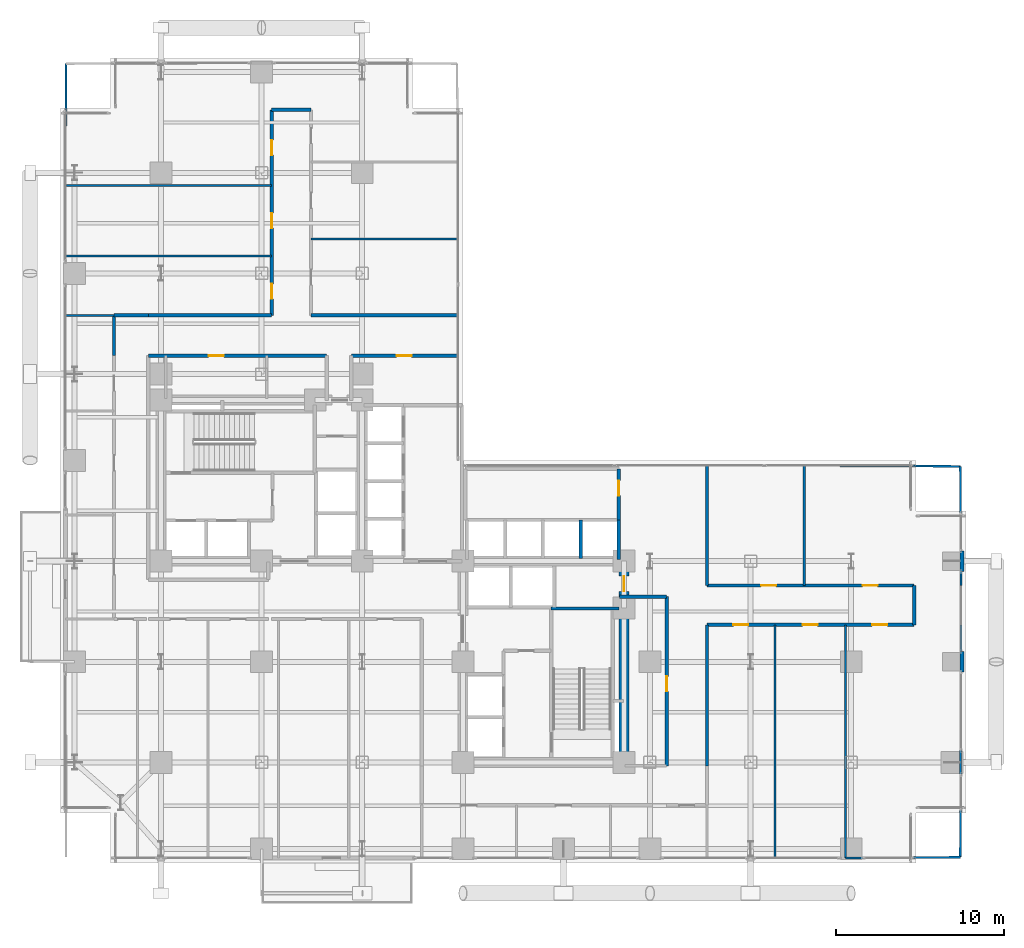
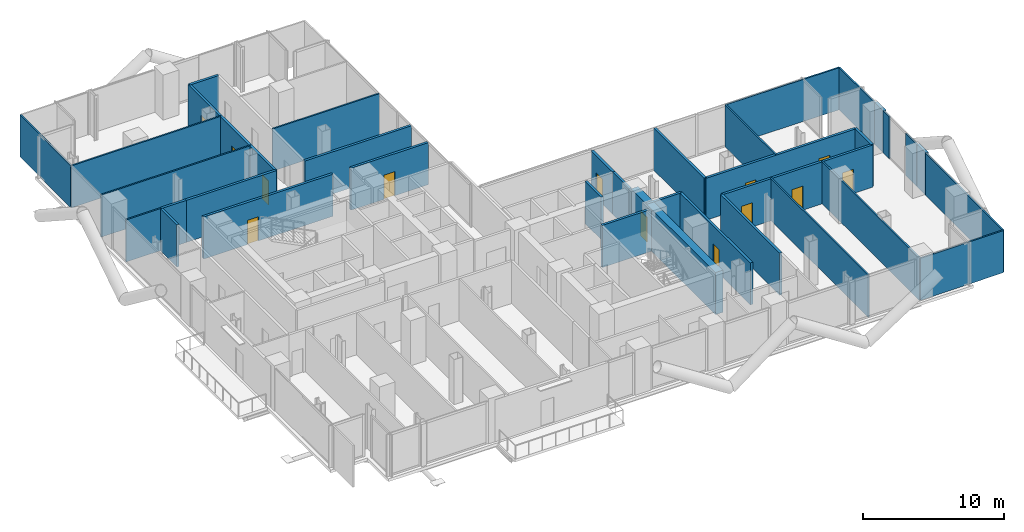
# One storey, part 22 of 25: 36 walls, 13 doors, 13 openings.
"""IFC4 building model written with IfcOpenShell, lengths in metres."""

import ifcopenshell
import ifcopenshell.guid

model = None  # the IFC model being written
_history = None  # IfcOwnerHistory: only IFC2X3 demands one
_inside = {}  # id of a spatial element -> (the spatial element, [elements in it])
_under = {}  # id of a project, library or spatial element -> (it, [spatial elements below it])
_declared = {}  # id of a project -> (the project, [libraries it declares])
_typed = {}  # id of a type object -> (the type object, [elements of that type])
_made_of = {}  # id of a material, layer set ... -> (it, [elements and type objects made of it])


def new_model(schema):
    """Start an empty IFC model of exactly this schema.

    Asked for "IFC4X3", IfcOpenShell would pick the latest addendum, in which some entities
    have other attributes; the version numbers below select the first issue.
    IFC2X3 requires an IfcOwnerHistory on every rooted entity: one is made here for all.
    """
    global model, _history
    if schema == "IFC4X3":
        model = ifcopenshell.file(schema_version=(4, 3, 0, 0))
    else:
        model = ifcopenshell.file(schema=schema)
    _inside.clear()
    _under.clear()
    _declared.clear()
    _typed.clear()
    _made_of.clear()
    _history = None
    if model.schema == "IFC2X3":
        org = make("IfcOrganization", Name="unknown")
        user = make(
            "IfcPersonAndOrganization",
            ThePerson=make("IfcPerson", FamilyName="unknown"),
            TheOrganization=org,
        )
        app = make(
            "IfcApplication",
            ApplicationDeveloper=org,
            Version="unknown",
            ApplicationFullName="unknown",
            ApplicationIdentifier="unknown",
        )
        _history = make(
            "IfcOwnerHistory",
            OwningUser=user,
            OwningApplication=app,
            ChangeAction="ADDED",
            CreationDate=0,
        )
    return model


def make(cls, **values):
    """One entity of the class cls with the attributes given. An attribute that is None is left unset."""
    return model.create_entity(
        cls, **{name: value for name, value in values.items() if value is not None}
    )


def rooted(cls, **values):
    """An entity with a GlobalId (a new one), such as an element, a storey or a relation."""
    return make(cls, GlobalId=ifcopenshell.guid.new(), OwnerHistory=_history, **values)


def si_unit(unit_type, name, prefix=None):
    """IfcSIUnit, for example si_unit("LENGTHUNIT", "METRE", prefix="MILLI")."""
    return make("IfcSIUnit", UnitType=unit_type, Prefix=prefix, Name=name)


def assignment(units):
    """IfcUnitAssignment: the units of a project."""
    return None if units is None else make("IfcUnitAssignment", Units=units)


def point(xyz):
    """IfcCartesianPoint."""
    return None if xyz is None else make("IfcCartesianPoint", Coordinates=xyz)


def direction(xyz):
    """IfcDirection."""
    return None if xyz is None else make("IfcDirection", DirectionRatios=xyz)


def frame(location, z_axis=None, x_axis=None):
    """IfcAxis2Placement3D, a coordinate frame: its origin and axes. An axis left out is left unset."""
    return make(
        "IfcAxis2Placement3D",
        Location=point(location),
        Axis=direction(z_axis),
        RefDirection=direction(x_axis),
    )


def frame_2d(location, x_axis=None):
    """IfcAxis2Placement2D, a coordinate frame in the plane: its origin and x axis."""
    return make(
        "IfcAxis2Placement2D", Location=point(location), RefDirection=direction(x_axis)
    )


def origin():
    """The frame at (0, 0, 0) with its axes left unset."""
    return frame((0.0, 0.0, 0.0))


def place(relative_to, where):
    """IfcLocalPlacement: puts the frame where relative to a parent placement (None: the world)."""
    return make(
        "IfcLocalPlacement", PlacementRelTo=relative_to, RelativePlacement=where
    )


def context(
    kind, dimensions, precision=None, world=None, true_north=None, identifier=None
):
    """IfcGeometricRepresentationContext, for example the 3D "Model" context."""
    return make(
        "IfcGeometricRepresentationContext",
        ContextIdentifier=identifier,
        ContextType=kind,
        CoordinateSpaceDimension=dimensions,
        Precision=precision,
        WorldCoordinateSystem=world,
        TrueNorth=true_north,
    )


def subcontext(parent, identifier, kind, view, scale=None):
    """IfcGeometricRepresentationSubContext, for example "Body" below "Model"."""
    return make(
        "IfcGeometricRepresentationSubContext",
        ContextIdentifier=identifier,
        ContextType=kind,
        ParentContext=parent,
        TargetScale=scale,
        TargetView=view,
    )


def project(units=None, contexts=None):
    """IfcProject with its units and contexts."""
    return rooted(
        "IfcProject",
        Name="project",
        RepresentationContexts=contexts,
        UnitsInContext=assignment(units),
    )


def spatial(cls, under=None, at=None, **own):
    """A site, building, storey or space (cls), placed at a placement, below another one or the project."""
    s = rooted(cls, ObjectPlacement=at, **own)
    if under is not None:
        _under.setdefault(under.id(), (under, []))[1].append(s)
    return s


def profile(cls, at=None, kind="AREA", **sizes):
    """A parametric profile (cls). Its sizes go by their IFC names, for example OverallWidth=200.0."""
    return make(cls, ProfileType=kind, Position=at, **sizes)


def rectangle(**sizes):
    """IfcRectangleProfileDef."""
    return profile("IfcRectangleProfileDef", **sizes)


def extrude(swept, where, along, depth):
    """IfcExtrudedAreaSolid: the profile swept, set in the frame where, extruded along a direction by depth."""
    return make(
        "IfcExtrudedAreaSolid",
        SweptArea=swept,
        Position=where,
        ExtrudedDirection=direction(along),
        Depth=depth,
    )


def shape(context_of_items, identifier, shape_type, items):
    """IfcShapeRepresentation: the items that make up one representation, for example the "Body"."""
    return make(
        "IfcShapeRepresentation",
        ContextOfItems=context_of_items,
        RepresentationIdentifier=identifier,
        RepresentationType=shape_type,
        Items=items,
    )


def material(Name=None, Category=None):
    """IfcMaterial."""
    return make("IfcMaterial", Name=Name, Category=Category)


def layer(
    of_material, thickness, ventilated=None, Name=None, Category=None, Priority=None
):
    """IfcMaterialLayer: one layer of a wall or slab, of a material (None: an air gap)."""
    return make(
        "IfcMaterialLayer",
        Material=of_material,
        LayerThickness=thickness,
        IsVentilated=ventilated,
        Name=Name,
        Category=Category,
        Priority=Priority,
    )


def layer_set(layers, Name=None):
    """IfcMaterialLayerSet."""
    return make("IfcMaterialLayerSet", MaterialLayers=layers, LayerSetName=Name)


def made_of(thing, what):
    """Note that an element or type object is made of a material, layer set ...; save() writes the relation."""
    if what is not None:
        _made_of.setdefault(what.id(), (what, []))[1].append(thing)
    return thing


def type_object(cls, material=None, **own):
    """A type object (cls), such as IfcWallType, which elements share."""
    return made_of(rooted(cls, **own), material)


def element(
    cls,
    number,
    at=None,
    inside=None,
    cuts=None,
    type_object=None,
    material=None,
    context=None,
    identifier="Body",
    shape_type=None,
    held_by="IfcProductDefinitionShape",
    body=None,
    shapes=None,
    **own,
):
    """One element of the class cls, such as IfcWall. Its Tag is "e" and its number.

    at: its placement. inside: the storey or other place that contains it. cuts: it is an
    opening in that element (IfcRelVoidsElement). A single representation is given by context,
    identifier, shape_type and body (its items); several are given by shapes. held_by: the class
    of the entity that holds the representations. save() writes the other relations.
    """
    e = rooted(cls, Tag="e%d" % number, ObjectPlacement=at, **own)
    if body is not None:
        shapes = [shape(context, identifier, shape_type, body)]
    if shapes is not None:
        e.Representation = make(held_by, Representations=shapes)
    if inside is not None:
        _inside.setdefault(inside.id(), (inside, []))[1].append(e)
    if cuts is not None:
        rooted(
            "IfcRelVoidsElement", RelatingBuildingElement=cuts, RelatedOpeningElement=e
        )
    if type_object is not None:
        _typed.setdefault(type_object.id(), (type_object, []))[1].append(e)
    return made_of(e, material)


def fill(opening, filler):
    """IfcRelFillsElement: the door or window that sits in an opening."""
    return rooted(
        "IfcRelFillsElement",
        RelatingOpeningElement=opening,
        RelatedBuildingElement=filler,
    )


def aggregate(whole, parts):
    """IfcRelAggregates: a whole, such as a stair, and the parts it consists of."""
    return rooted("IfcRelAggregates", RelatingObject=whole, RelatedObjects=parts)


def save(model, path):
    """Write the relations noted so far, then the file.

    IfcRelAggregates (storeys below a building ...), IfcRelContainedInSpatialStructure (elements
    in a storey), IfcRelDefinesByType, IfcRelAssociatesMaterial and IfcRelDeclares: one each for
    every whole, place, type object, material and project.
    """
    for whole, parts in _under.values():
        aggregate(whole, parts)
    for where, things in _inside.values():
        rooted(
            "IfcRelContainedInSpatialStructure",
            RelatedElements=things,
            RelatingStructure=where,
        )
    for kind, things in _typed.values():
        rooted("IfcRelDefinesByType", RelatedObjects=things, RelatingType=kind)
    for what, things in _made_of.values():
        rooted("IfcRelAssociatesMaterial", RelatedObjects=things, RelatingMaterial=what)
    for by, libraries in _declared.values():
        rooted("IfcRelDeclares", RelatingContext=by, RelatedDefinitions=libraries)
    model.write(path)


model = new_model("IFC4")

# Units and contexts
model_context = context("Model", 3, precision=1e-05, world=origin(), true_north=direction((0.0, 1.0)))
body_context = subcontext(model_context, "Body", "Model", "MODEL_VIEW")
ifc_project = project(units=[si_unit("LENGTHUNIT", "METRE"), si_unit("AREAUNIT", "SQUARE_METRE"), si_unit("VOLUMEUNIT", "CUBIC_METRE"), si_unit("PLANEANGLEUNIT", "RADIAN"), si_unit("MASSUNIT", "GRAM", prefix="KILO"), si_unit("THERMODYNAMICTEMPERATUREUNIT", "KELVIN"), si_unit("POWERUNIT", "WATT")], contexts=[model_context])

# Site, building, storey
site_placement = place(None, origin())
site = spatial("IfcSite", under=ifc_project, at=site_placement, CompositionType="ELEMENT")
building_placement = place(site_placement, origin())
building = spatial("IfcBuilding", under=site, at=building_placement, Name="Svarakhadi Broadcast Tower", CompositionType="ELEMENT")
storey_placement = place(building_placement, frame((0.0, 0.0, 48.0)))
storey = spatial("IfcBuildingStorey", under=building, at=storey_placement, Name="L10", CompositionType="ELEMENT", Elevation=48.0)

# Wall, opening, door
ifc_material_1 = material(Name="Double-Stud Acoustic Studio Partition STC-62", Category="gypsum")
ifc_layer_1 = layer(ifc_material_1, 0.199951171875)
ifc_layer_set_1 = layer_set([ifc_layer_1], Name="Double-Stud Acoustic Studio Partition STC-62")
wall_type_1 = type_object("IfcWallType", Name="Wall_Acoust_200", PredefinedType="PARTITIONING", material=ifc_layer_set_1)
wall_1_placement = place(storey_placement, frame((36.14990234375, 5.800048828125, 0.0), z_axis=(0.0, 0.0, 1.0), x_axis=(0.0, 1.0, 0.0)))
wall_1 = element("IfcWall", 1, at=wall_1_placement, inside=storey, type_object=wall_type_1, Name="L10 Broadcast Corridor Wall", PredefinedType="PARTITIONING", context=body_context, shape_type="SweptSolid", body=[
    extrude(rectangle(XDim=10.079833984375, YDim=0.199951171875, at=frame_2d((5.0400390625, 0.0))), origin(), (0.0, 0.0, 1.0), 3.64990234375),
])
opening_1_placement = place(wall_1_placement, frame((4.429931640625, 0.0, 0.0)))
opening_1 = element("IfcOpeningElement", 2, at=opening_1_placement, cuts=wall_1, Name="Opening D-14", PredefinedType="OPENING", context=body_context, shape_type="SweptSolid", body=[
    extrude(rectangle(XDim=0.89990234375, YDim=2.10009765625, at=frame_2d((0.449951171875, 1.050048828125))), frame((0.0, 0.10986328125, 0.0), z_axis=(0.0, -1.0, 0.0), x_axis=(1.0, 0.0, 0.0)), (0.0, 0.0, 1.0), 0.219970703125),
])
ifc_material_2 = material(Name="Solid-Core Teak Veneer Acoustic Timber Leaf", Category="wood")
door_type_1 = type_object("IfcDoorType", Name="Door_Int_D14", OperationType="SINGLE_SWING_LEFT", PredefinedType="DOOR", material=ifc_material_2)
door_1_placement = place(opening_1_placement, origin())
door_1 = element("IfcDoor", 3, at=door_1_placement, inside=storey, type_object=door_type_1, Name="L10 Live Feed Monitoring Studio Door", OperationType="SINGLE_SWING_LEFT", OverallHeight=2.10009765625, OverallWidth=0.89990234375, PredefinedType="DOOR", context=body_context, shape_type="SweptSolid", body=[
    extrude(rectangle(XDim=0.89990234375, YDim=2.10009765625, at=frame_2d((0.449951171875, 1.050048828125))), frame((0.0, 0.02490234375, 0.0), z_axis=(0.0, -1.0, 0.0), x_axis=(1.0, 0.0, 0.0)), (0.0, 0.0, 1.0), 0.050048828125),
])
fill(opening_1, door_1)

# Walls
wall_2_placement = place(storey_placement, frame((36.14990234375, 15.8798828125, 0.0), z_axis=(0.0, 0.0, 1.0), x_axis=(-1.0, 0.0, 0.0)))
element("IfcWall", 4, at=wall_2_placement, inside=storey, type_object=wall_type_1, Name="L10 Broadcast Corridor Wall", PredefinedType="PARTITIONING", context=body_context, shape_type="SweptSolid", body=[
    extrude(rectangle(XDim=2.809814453125, YDim=0.199951171875, at=frame_2d((1.40478515625, 0.0))), origin(), (0.0, 0.0, 1.0), 3.64990234375),
])
wall_3_placement = place(storey_placement, frame((38.550048828125, 23.699951171875, 0.0), z_axis=(0.0, 0.0, 1.0), x_axis=(0.0, -1.0, 0.0)))
element("IfcWall", 5, at=wall_3_placement, inside=storey, type_object=wall_type_1, Name="L10 Broadcast Corridor Wall", PredefinedType="PARTITIONING", context=body_context, shape_type="SweptSolid", body=[
    extrude(rectangle(XDim=7.14990234375, YDim=0.199951171875, at=frame_2d((3.574951171875, 0.0))), origin(), (0.0, 0.0, 1.0), 3.64990234375),
])

# Wall, openings, doors
wall_4_placement = place(storey_placement, frame((38.550048828125, 16.550048828125, 0.0), z_axis=(0.0, 0.0, 1.0), x_axis=(1.0, 0.0, 0.0)))
wall_4 = element("IfcWall", 6, at=wall_4_placement, inside=storey, type_object=wall_type_1, Name="L10 Broadcast Corridor Wall", PredefinedType="PARTITIONING", context=body_context, shape_type="SweptSolid", body=[
    extrude(rectangle(XDim=12.349853515625, YDim=0.199951171875, at=frame_2d((6.1748046875, 0.0))), origin(), (0.0, 0.0, 1.0), 3.64990234375),
])
opening_2_placement = place(wall_4_placement, frame((3.22998046875, 0.0, 0.0)))
opening_2 = element("IfcOpeningElement", 7, at=opening_2_placement, cuts=wall_4, Name="Opening D-15", PredefinedType="OPENING", context=body_context, shape_type="SweptSolid", body=[
    extrude(rectangle(XDim=0.89990234375, YDim=2.10009765625, at=frame_2d((0.449951171875, 1.050048828125))), frame((0.0, 0.10986328125, 0.0), z_axis=(0.0, -1.0, 0.0), x_axis=(1.0, 0.0, 0.0)), (0.0, 0.0, 1.0), 0.219970703125),
])
opening_3_placement = place(wall_4_placement, frame((9.280029296875, 0.0, 0.0)))
opening_3 = element("IfcOpeningElement", 8, at=opening_3_placement, cuts=wall_4, Name="Opening D-14", PredefinedType="OPENING", context=body_context, shape_type="SweptSolid", body=[
    extrude(rectangle(XDim=0.89990234375, YDim=2.10009765625, at=frame_2d((0.449951171875, 1.050048828125))), frame((0.0, 0.10986328125, 0.0), z_axis=(0.0, -1.0, 0.0), x_axis=(1.0, 0.0, 0.0)), (0.0, 0.0, 1.0), 0.219970703125),
])
door_2_placement = place(opening_3_placement, origin())
door_2 = element("IfcDoor", 9, at=door_2_placement, inside=storey, type_object=door_type_1, Name="L10 Broadcast Equipment Operations Room Door", OperationType="SINGLE_SWING_LEFT", OverallHeight=2.10009765625, OverallWidth=0.89990234375, PredefinedType="DOOR", context=body_context, shape_type="SweptSolid", body=[
    extrude(rectangle(XDim=0.89990234375, YDim=2.10009765625, at=frame_2d((0.449951171875, 1.050048828125))), frame((0.0, 0.02490234375, 0.0), z_axis=(0.0, -1.0, 0.0), x_axis=(1.0, 0.0, 0.0)), (0.0, 0.0, 1.0), 0.050048828125),
])
fill(opening_3, door_2)
door_type_2 = type_object("IfcDoorType", Name="Door_Int_D15", OperationType="SINGLE_SWING_RIGHT", PredefinedType="DOOR", material=ifc_material_2)
door_3_placement = place(opening_2_placement, origin())
door_3 = element("IfcDoor", 10, at=door_3_placement, inside=storey, type_object=door_type_2, Name="L10 Broadcast Acoustic Booth Door", OperationType="SINGLE_SWING_RIGHT", OverallHeight=2.10009765625, OverallWidth=0.89990234375, PredefinedType="DOOR", context=body_context, shape_type="SweptSolid", body=[
    extrude(rectangle(XDim=0.89990234375, YDim=2.10009765625, at=frame_2d((0.449951171875, 1.050048828125))), frame((0.0, 0.02490234375, 0.0), z_axis=(0.0, -1.0, 0.0), x_axis=(1.0, 0.0, 0.0)), (0.0, 0.0, 1.0), 0.050048828125),
])
fill(opening_2, door_3)

# Wall
wall_5_placement = place(storey_placement, frame((50.89990234375, 16.550048828125, 0.0), z_axis=(0.0, 0.0, 1.0), x_axis=(0.0, -1.0, 0.0)))
element("IfcWall", 11, at=wall_5_placement, inside=storey, type_object=wall_type_1, Name="L10 Broadcast Corridor Wall", PredefinedType="PARTITIONING", context=body_context, shape_type="SweptSolid", body=[
    extrude(rectangle(XDim=2.35009765625, YDim=0.199951171875, at=frame_2d((1.175048828125, 0.0))), origin(), (0.0, 0.0, 1.0), 3.64990234375),
])

# Wall, openings, doors
wall_6_placement = place(storey_placement, frame((50.89990234375, 14.199951171875, 0.0), z_axis=(0.0, 0.0, 1.0), x_axis=(-1.0, 0.0, 0.0)))
wall_6 = element("IfcWall", 12, at=wall_6_placement, inside=storey, type_object=wall_type_1, Name="L10 Broadcast Corridor Wall", PredefinedType="PARTITIONING", context=body_context, shape_type="SweptSolid", body=[
    extrude(rectangle(XDim=12.349853515625, YDim=0.199951171875, at=frame_2d((6.1748046875, 0.0))), origin(), (0.0, 0.0, 1.0), 3.64990234375),
])
opening_4_placement = place(wall_6_placement, frame((9.875, 0.0, 0.0)))
opening_4 = element("IfcOpeningElement", 13, at=opening_4_placement, cuts=wall_6, Name="Opening D-15", PredefinedType="OPENING", context=body_context, shape_type="SweptSolid", body=[
    extrude(rectangle(XDim=0.89990234375, YDim=2.10009765625, at=frame_2d((0.449951171875, 1.050048828125))), frame((0.0, 0.10986328125, 0.0), z_axis=(0.0, -1.0, 0.0), x_axis=(1.0, 0.0, 0.0)), (0.0, 0.0, 1.0), 0.219970703125),
])
opening_5_placement = place(wall_6_placement, frame((5.75, 0.0, 0.0)))
opening_5 = element("IfcOpeningElement", 14, at=opening_5_placement, cuts=wall_6, Name="Opening D-14", PredefinedType="OPENING", context=body_context, shape_type="SweptSolid", body=[
    extrude(rectangle(XDim=0.89990234375, YDim=2.10009765625, at=frame_2d((0.449951171875, 1.050048828125))), frame((0.0, 0.10986328125, 0.0), z_axis=(0.0, -1.0, 0.0), x_axis=(1.0, 0.0, 0.0)), (0.0, 0.0, 1.0), 0.219970703125),
])
opening_6_placement = place(wall_6_placement, frame((1.60009765625, 0.0, 0.0)))
opening_6 = element("IfcOpeningElement", 15, at=opening_6_placement, cuts=wall_6, Name="Opening D-15", PredefinedType="OPENING", context=body_context, shape_type="SweptSolid", body=[
    extrude(rectangle(XDim=0.89990234375, YDim=2.10009765625, at=frame_2d((0.449951171875, 1.050048828125))), frame((0.0, 0.10986328125, 0.0), z_axis=(0.0, -1.0, 0.0), x_axis=(1.0, 0.0, 0.0)), (0.0, 0.0, 1.0), 0.219970703125),
])
door_4_placement = place(opening_5_placement, origin())
door_4 = element("IfcDoor", 16, at=door_4_placement, inside=storey, type_object=door_type_1, Name="L10 Ingest Pod B Door", OperationType="SINGLE_SWING_LEFT", OverallHeight=2.10009765625, OverallWidth=0.89990234375, PredefinedType="DOOR", context=body_context, shape_type="SweptSolid", body=[
    extrude(rectangle(XDim=0.89990234375, YDim=2.10009765625, at=frame_2d((0.449951171875, 1.050048828125))), frame((0.0, 0.02490234375, 0.0), z_axis=(0.0, -1.0, 0.0), x_axis=(1.0, 0.0, 0.0)), (0.0, 0.0, 1.0), 0.050048828125),
])
fill(opening_5, door_4)
door_5_placement = place(opening_4_placement, origin())
door_5 = element("IfcDoor", 17, at=door_5_placement, inside=storey, type_object=door_type_2, Name="L10 Ingest Pod A Door", OperationType="SINGLE_SWING_RIGHT", OverallHeight=2.10009765625, OverallWidth=0.89990234375, PredefinedType="DOOR", context=body_context, shape_type="SweptSolid", body=[
    extrude(rectangle(XDim=0.89990234375, YDim=2.10009765625, at=frame_2d((0.449951171875, 1.050048828125))), frame((0.0, 0.02490234375, 0.0), z_axis=(0.0, -1.0, 0.0), x_axis=(1.0, 0.0, 0.0)), (0.0, 0.0, 1.0), 0.050048828125),
])
fill(opening_4, door_5)
door_6_placement = place(opening_6_placement, origin())
door_6 = element("IfcDoor", 18, at=door_6_placement, inside=storey, type_object=door_type_2, Name="L10 QC Review Pod Door", OperationType="SINGLE_SWING_RIGHT", OverallHeight=2.10009765625, OverallWidth=0.89990234375, PredefinedType="DOOR", context=body_context, shape_type="SweptSolid", body=[
    extrude(rectangle(XDim=0.89990234375, YDim=2.10009765625, at=frame_2d((0.449951171875, 1.050048828125))), frame((0.0, 0.02490234375, 0.0), z_axis=(0.0, -1.0, 0.0), x_axis=(1.0, 0.0, 0.0)), (0.0, 0.0, 1.0), 0.050048828125),
])
fill(opening_6, door_6)

# Walls
wall_7_placement = place(storey_placement, frame((38.550048828125, 14.199951171875, 0.0), z_axis=(0.0, 0.0, 1.0), x_axis=(0.0, -1.0, 0.0)))
element("IfcWall", 19, at=wall_7_placement, inside=storey, type_object=wall_type_1, Name="L10 Broadcast Corridor Wall", PredefinedType="PARTITIONING", context=body_context, shape_type="SweptSolid", body=[
    extrude(rectangle(XDim=8.39990234375, YDim=0.199951171875, at=frame_2d((4.199951171875, 0.0))), origin(), (0.0, 0.0, 1.0), 3.64990234375),
])
wall_8_placement = place(storey_placement, frame((3.199951171875, 30.25, 0.0), z_axis=(0.0, 0.0, 1.0), x_axis=(0.0, 1.0, 0.0)))
element("IfcWall", 20, at=wall_8_placement, inside=storey, type_object=wall_type_1, Name="L10 Broadcast Corridor Wall", PredefinedType="PARTITIONING", context=body_context, shape_type="SweptSolid", body=[
    extrude(rectangle(XDim=2.39990234375, YDim=0.199951171875, at=frame_2d((1.199951171875, 0.0))), origin(), (0.0, 0.0, 1.0), 3.64990234375),
])
wall_9_placement = place(storey_placement, frame((3.199951171875, 32.64990234375, 0.0), z_axis=(0.0, 0.0, 1.0), x_axis=(1.0, 0.0, 0.0)))
element("IfcWall", 21, at=wall_9_placement, inside=storey, type_object=wall_type_1, Name="L10 Broadcast Corridor Wall", PredefinedType="PARTITIONING", context=body_context, shape_type="SweptSolid", body=[
    extrude(rectangle(XDim=2.050048828125, YDim=0.199951171875, at=frame_2d((1.02490234375, 0.0))), origin(), (0.0, 0.0, 1.0), 3.64990234375),
])
wall_10_placement = place(storey_placement, frame((5.25, 32.64990234375, 0.0), z_axis=(0.0, 0.0, 1.0), x_axis=(1.0, 0.0, 0.0)))
element("IfcWall", 22, at=wall_10_placement, inside=storey, type_object=wall_type_1, Name="L10 Broadcast Corridor Wall", PredefinedType="PARTITIONING", context=body_context, shape_type="SweptSolid", body=[
    extrude(rectangle(XDim=7.35009765625, YDim=0.199951171875, at=frame_2d((3.675048828125, 0.0))), origin(), (0.0, 0.0, 1.0), 3.64990234375),
])

# Wall, openings, doors
wall_11_placement = place(storey_placement, frame((12.60009765625, 32.64990234375, 0.0), z_axis=(0.0, 0.0, 1.0), x_axis=(0.0, 1.0, 0.0)))
wall_11 = element("IfcWall", 23, at=wall_11_placement, inside=storey, type_object=wall_type_1, Name="L10 Broadcast Corridor Wall", PredefinedType="PARTITIONING", context=body_context, shape_type="SweptSolid", body=[
    extrude(rectangle(XDim=12.25, YDim=0.199951171875, at=frame_2d((6.125, 0.0))), origin(), (0.0, 0.0, 1.0), 3.64990234375),
])
opening_7_placement = place(wall_11_placement, frame((0.97998046875, 0.0, 0.0)))
opening_7 = element("IfcOpeningElement", 24, at=opening_7_placement, cuts=wall_11, Name="Opening D-14", PredefinedType="OPENING", context=body_context, shape_type="SweptSolid", body=[
    extrude(rectangle(XDim=0.89990234375, YDim=2.10009765625, at=frame_2d((0.449951171875, 1.050048828125))), frame((0.0, 0.10986328125, 0.0), z_axis=(0.0, -1.0, 0.0), x_axis=(1.0, 0.0, 0.0)), (0.0, 0.0, 1.0), 0.219970703125),
])
opening_8_placement = place(wall_11_placement, frame((5.199951171875, 0.0, 0.0)))
opening_8 = element("IfcOpeningElement", 25, at=opening_8_placement, cuts=wall_11, Name="Opening D-14", PredefinedType="OPENING", context=body_context, shape_type="SweptSolid", body=[
    extrude(rectangle(XDim=0.89990234375, YDim=2.10009765625, at=frame_2d((0.449951171875, 1.050048828125))), frame((0.0, 0.10986328125, 0.0), z_axis=(0.0, -1.0, 0.0), x_axis=(1.0, 0.0, 0.0)), (0.0, 0.0, 1.0), 0.219970703125),
])
opening_9_placement = place(wall_11_placement, frame((9.550048828125, 0.0, 0.0)))
opening_9 = element("IfcOpeningElement", 26, at=opening_9_placement, cuts=wall_11, Name="Opening D-15", PredefinedType="OPENING", context=body_context, shape_type="SweptSolid", body=[
    extrude(rectangle(XDim=0.89990234375, YDim=2.10009765625, at=frame_2d((0.449951171875, 1.050048828125))), frame((0.0, 0.10986328125, 0.0), z_axis=(0.0, -1.0, 0.0), x_axis=(1.0, 0.0, 0.0)), (0.0, 0.0, 1.0), 0.219970703125),
])
door_7_placement = place(opening_7_placement, origin())
door_7 = element("IfcDoor", 27, at=door_7_placement, inside=storey, type_object=door_type_1, Name="L10 Sound Foley Room Door", OperationType="SINGLE_SWING_LEFT", OverallHeight=2.10009765625, OverallWidth=0.89990234375, PredefinedType="DOOR", context=body_context, shape_type="SweptSolid", body=[
    extrude(rectangle(XDim=0.89990234375, YDim=2.10009765625, at=frame_2d((0.449951171875, 1.050048828125))), frame((0.0, 0.02490234375, 0.0), z_axis=(0.0, -1.0, 0.0), x_axis=(1.0, 0.0, 0.0)), (0.0, 0.0, 1.0), 0.050048828125),
])
fill(opening_7, door_7)
door_8_placement = place(opening_8_placement, origin())
door_8 = element("IfcDoor", 28, at=door_8_placement, inside=storey, type_object=door_type_1, Name="L10 ADR Vocal Room Door", OperationType="SINGLE_SWING_LEFT", OverallHeight=2.10009765625, OverallWidth=0.89990234375, PredefinedType="DOOR", context=body_context, shape_type="SweptSolid", body=[
    extrude(rectangle(XDim=0.89990234375, YDim=2.10009765625, at=frame_2d((0.449951171875, 1.050048828125))), frame((0.0, 0.02490234375, 0.0), z_axis=(0.0, -1.0, 0.0), x_axis=(1.0, 0.0, 0.0)), (0.0, 0.0, 1.0), 0.050048828125),
])
fill(opening_8, door_8)
door_9_placement = place(opening_9_placement, origin())
door_9 = element("IfcDoor", 29, at=door_9_placement, inside=storey, type_object=door_type_2, Name="L10 Mastering Studio Door", OperationType="SINGLE_SWING_RIGHT", OverallHeight=2.10009765625, OverallWidth=0.89990234375, PredefinedType="DOOR", context=body_context, shape_type="SweptSolid", body=[
    extrude(rectangle(XDim=0.89990234375, YDim=2.10009765625, at=frame_2d((0.449951171875, 1.050048828125))), frame((0.0, 0.02490234375, 0.0), z_axis=(0.0, -1.0, 0.0), x_axis=(1.0, 0.0, 0.0)), (0.0, 0.0, 1.0), 0.050048828125),
])
fill(opening_9, door_9)

# Walls
wall_12_placement = place(storey_placement, frame((12.60009765625, 44.89990234375, 0.0), z_axis=(0.0, 0.0, 1.0), x_axis=(1.0, 0.0, 0.0)))
element("IfcWall", 30, at=wall_12_placement, inside=storey, type_object=wall_type_1, Name="L10 Broadcast Corridor Wall", PredefinedType="PARTITIONING", context=body_context, shape_type="SweptSolid", body=[
    extrude(rectangle(XDim=2.349853515625, YDim=0.199951171875, at=frame_2d((1.1748046875, 0.0))), origin(), (0.0, 0.0, 1.0), 3.64990234375),
])
wall_13_placement = place(storey_placement, frame((14.949951171875, 32.64990234375, 0.0), z_axis=(0.0, 0.0, 1.0), x_axis=(1.0, 0.0, 0.0)))
element("IfcWall", 31, at=wall_13_placement, inside=storey, type_object=wall_type_1, Name="L10 Broadcast Corridor Wall", PredefinedType="PARTITIONING", context=body_context, shape_type="SweptSolid", body=[
    extrude(rectangle(XDim=8.75, YDim=0.199951171875, at=frame_2d((4.375, 0.0))), origin(), (0.0, 0.0, 1.0), 3.64990234375),
])

# Wall, opening, door
wall_14_placement = place(storey_placement, frame((23.699951171875, 30.25, 0.0), z_axis=(0.0, 0.0, 1.0), x_axis=(-1.0, 0.0, 0.0)))
wall_14 = element("IfcWall", 32, at=wall_14_placement, inside=storey, type_object=wall_type_1, Name="L10 Broadcast Corridor Wall", PredefinedType="PARTITIONING", context=body_context, shape_type="SweptSolid", body=[
    extrude(rectangle(XDim=6.349853515625, YDim=0.199951171875, at=frame_2d((3.1748046875, 0.0))), origin(), (0.0, 0.0, 1.0), 3.64990234375),
])
opening_10_placement = place(wall_14_placement, frame((2.75, 0.0, 0.0)))
opening_10 = element("IfcOpeningElement", 33, at=opening_10_placement, cuts=wall_14, Name="Opening D-15", PredefinedType="OPENING", context=body_context, shape_type="SweptSolid", body=[
    extrude(rectangle(XDim=0.89990234375, YDim=2.10009765625, at=frame_2d((0.449951171875, 1.050048828125))), frame((0.0, 0.10986328125, 0.0), z_axis=(0.0, -1.0, 0.0), x_axis=(1.0, 0.0, 0.0)), (0.0, 0.0, 1.0), 0.219970703125),
])
door_10_placement = place(opening_10_placement, origin())
door_10 = element("IfcDoor", 34, at=door_10_placement, inside=storey, type_object=door_type_2, Name="L10 Production Continuity Office Door", OperationType="SINGLE_SWING_RIGHT", OverallHeight=2.10009765625, OverallWidth=0.89990234375, PredefinedType="DOOR", context=body_context, shape_type="SweptSolid", body=[
    extrude(rectangle(XDim=0.89990234375, YDim=2.10009765625, at=frame_2d((0.449951171875, 1.050048828125))), frame((0.0, 0.02490234375, 0.0), z_axis=(0.0, -1.0, 0.0), x_axis=(1.0, 0.0, 0.0)), (0.0, 0.0, 1.0), 0.050048828125),
])
fill(opening_10, door_10)

wall_15_placement = place(storey_placement, frame((15.8798828125, 30.25, 0.0), z_axis=(0.0, 0.0, 1.0), x_axis=(-1.0, 0.0, 0.0)))
wall_15 = element("IfcWall", 35, at=wall_15_placement, inside=storey, type_object=wall_type_1, Name="L10 Broadcast Corridor Wall", PredefinedType="PARTITIONING", context=body_context, shape_type="SweptSolid", body=[
    extrude(rectangle(XDim=10.6298828125, YDim=0.199951171875, at=frame_2d((5.31494140625, 0.0))), origin(), (0.0, 0.0, 1.0), 3.64990234375),
])
opening_11_placement = place(wall_15_placement, frame((6.1298828125, 0.0, 0.0)))
opening_11 = element("IfcOpeningElement", 36, at=opening_11_placement, cuts=wall_15, Name="Opening D-12", PredefinedType="OPENING", context=body_context, shape_type="SweptSolid", body=[
    extrude(rectangle(XDim=0.89990234375, YDim=2.10009765625, at=frame_2d((0.449951171875, 1.050048828125))), frame((0.0, 0.10986328125, 0.0), z_axis=(0.0, -1.0, 0.0), x_axis=(1.0, 0.0, 0.0)), (0.0, 0.0, 1.0), 0.219970703125),
])
door_type_3 = type_object("IfcDoorType", Name="Door_WC_D01", OperationType="SINGLE_SWING_LEFT", PredefinedType="DOOR", material=ifc_material_2)
door_11_placement = place(opening_11_placement, origin())
door_11 = element("IfcDoor", 37, at=door_11_placement, inside=storey, type_object=door_type_3, Name="L10 Accessible Toilet WC Door", OperationType="SINGLE_SWING_LEFT", OverallHeight=2.10009765625, OverallWidth=0.89990234375, PredefinedType="DOOR", context=body_context, shape_type="SweptSolid", body=[
    extrude(rectangle(XDim=0.89990234375, YDim=2.10009765625, at=frame_2d((0.449951171875, 1.050048828125))), frame((0.0, 0.02490234375, 0.0), z_axis=(0.0, -1.0, 0.0), x_axis=(1.0, 0.0, 0.0)), (0.0, 0.0, 1.0), 0.050048828125),
])
fill(opening_11, door_11)

# Walls
ifc_material_3 = material(Name="Concrete C40/50 (IS 456 M50)", Category="concrete")
ifc_layer_2 = layer(ifc_material_3, 0.239990234375)
ifc_layer_set_2 = layer_set([ifc_layer_2], Name="Concrete C40/50 (IS 456 M50)")
wall_type_2 = type_object("IfcWallType", Name="Wall_Ext_240", PredefinedType="SOLIDWALL", material=ifc_layer_set_2)
for number, where, z_axis, x_axis, name in (
    (38, (53.760009765625, 18.614990234375, 0.0), (0.0, 0.0, 1.0), (0.0, -1.0, 0.0), "L10 Perimeter Bronze Spandrel Closure Wall 03"),
    (39, (53.760009765625, 12.614990234375, 0.0), (0.0, 0.0, 1.0), (0.0, -1.0, 0.0), "L10 Perimeter Bronze Spandrel Closure Wall 04"),
):
    element("IfcWall", number, at=place(storey_placement, frame(where, z_axis=z_axis, x_axis=x_axis)), inside=storey, type_object=wall_type_2, Name=name, PredefinedType="SOLIDWALL", context=body_context, shape_type="SweptSolid", body=[
        extrude(rectangle(XDim=1.22998046875, YDim=0.239990234375, at=frame_2d((0.614990234375, 0.0))), origin(), (0.0, 0.0, 1.0), 3.64990234375),
    ])
ifc_material_4 = material(Name="Fire-Rated Moisture-Resistant Gypsum Board Partition", Category="gypsum")
ifc_layer_3 = layer(ifc_material_4, 0.125)
ifc_layer_set_3 = layer_set([ifc_layer_3], Name="Fire-Rated Moisture-Resistant Gypsum Board Partition")
wall_type_3 = type_object("IfcWallType", Name="Wall_Part_125", PredefinedType="PARTITIONING", material=ifc_layer_set_3)
for number, where, z_axis, x_axis, name in (
    (40, (42.60009765625, 0.300048828125, 0.0), (0.0, 0.0, 1.0), (0.0, 1.0, 0.0), "L10 Ingest Pod A Wall"),
    (41, (46.800048828125, 0.300048828125, 0.0), (0.0, 0.0, 1.0), (0.0, 1.0, 0.0), "L10 Ingest Pod B Wall"),
):
    element("IfcWall", number, at=place(storey_placement, frame(where, z_axis=z_axis, x_axis=x_axis)), inside=storey, type_object=wall_type_3, Name=name, PredefinedType="PARTITIONING", context=body_context, shape_type="SweptSolid", body=[
        extrude(rectangle(XDim=13.89990234375, YDim=0.125, at=frame_2d((6.949951171875, 0.0))), origin(), (0.0, 0.0, 1.0), 3.64990234375),
    ])
wall_16_placement = place(storey_placement, frame((46.800048828125, 0.300048828125, 0.0), z_axis=(0.0, 0.0, 1.0), x_axis=(0.999973308199, 0.007306359489, 0.0)))
element("IfcWall", 42, at=wall_16_placement, inside=storey, type_object=wall_type_3, Name="L10 QC Review Pod Wall", PredefinedType="PARTITIONING", context=body_context, shape_type="SweptSolid", body=[
    extrude(rectangle(XDim=6.85009765625, YDim=0.125, at=frame_2d((3.425048828125, 0.0))), origin(), (0.0, 0.0, 1.0), 3.64990234375),
])
wall_17_placement = place(storey_placement, frame((53.64990234375, 0.35009765625, 0.0), z_axis=(0.0, 0.0, 1.0), x_axis=(0.003606251025, 0.999993497456, 0.0)))
element("IfcWall", 43, at=wall_17_placement, inside=storey, type_object=wall_type_3, Name="L10 QC Review Pod Wall", PredefinedType="PARTITIONING", context=body_context, shape_type="SweptSolid", body=[
    extrude(rectangle(XDim=11.034912109375, YDim=0.125, at=frame_2d((5.517578125, 0.0))), origin(), (0.0, 0.0, 1.0), 3.64990234375),
])
wall_18_placement = place(storey_placement, frame((53.6943359375, 12.614990234375, 0.0), z_axis=(0.0, 0.0, 1.0), x_axis=(0.003542799701, 0.999993724265, 0.0)))
element("IfcWall", 44, at=wall_18_placement, inside=storey, type_object=wall_type_3, Name="L10 QC Review Pod Wall", PredefinedType="PARTITIONING", context=body_context, shape_type="SweptSolid", body=[
    extrude(rectangle(XDim=1.5849609375, YDim=0.125, at=frame_2d((0.79248046875, 0.0))), origin(), (0.0, 0.0, 1.0), 3.64990234375),
])
wall_19_placement = place(storey_placement, frame((44.35009765625, 16.550048828125, 0.0), z_axis=(0.0, 0.0, 1.0), x_axis=(0.0, 1.0, 0.0)))
element("IfcWall", 45, at=wall_19_placement, inside=storey, type_object=wall_type_3, Name="L10 Broadcast Acoustic Booth Wall", PredefinedType="PARTITIONING", context=body_context, shape_type="SweptSolid", body=[
    extrude(rectangle(XDim=7.14990234375, YDim=0.125, at=frame_2d((3.574951171875, 0.0))), origin(), (0.0, 0.0, 1.0), 3.64990234375),
])
wall_20_placement = place(storey_placement, frame((44.35009765625, 23.699951171875, 0.0), z_axis=(0.0, 0.0, 1.0), x_axis=(0.999985518927, -0.005381629512, 0.0)))
element("IfcWall", 46, at=wall_20_placement, inside=storey, type_object=wall_type_3, Name="L10 Broadcast Equipment Operations Room Wall", PredefinedType="PARTITIONING", context=body_context, shape_type="SweptSolid", body=[
    extrude(rectangle(XDim=9.300048828125, YDim=0.125, at=frame_2d((4.64990234375, 0.0))), origin(), (0.0, 0.0, 1.0), 3.64990234375),
])
wall_21_placement = place(storey_placement, frame((53.699951171875, 16.550048828125, 0.0), z_axis=(0.0, 0.0, 1.0), x_axis=(-0.007017371073, 0.999975377948, 0.0)))
element("IfcWall", 47, at=wall_21_placement, inside=storey, type_object=wall_type_3, Name="L10 Broadcast Equipment Operations Room Wall", PredefinedType="PARTITIONING", context=body_context, shape_type="SweptSolid", body=[
    extrude(rectangle(XDim=0.8349609375, YDim=0.125, at=frame_2d((0.41748046875, 0.0))), origin(), (0.0, 0.0, 1.0), 3.64990234375),
])
wall_22_placement = place(storey_placement, frame((53.685546875, 18.614990234375, 0.0), z_axis=(0.0, 0.0, 1.0), x_axis=(-0.007079296972, 0.999974941463, 0.0)))
element("IfcWall", 48, at=wall_22_placement, inside=storey, type_object=wall_type_3, Name="L10 Broadcast Equipment Operations Room Wall", PredefinedType="PARTITIONING", context=body_context, shape_type="SweptSolid", body=[
    extrude(rectangle(XDim=5.03515625, YDim=0.125, at=frame_2d((2.517578125, 0.0))), origin(), (0.0, 0.0, 1.0), 3.64990234375),
])
for number, where, z_axis, x_axis, name in (
    (49, (0.300048828125, 36.199951171875, 0.0), (0.0, 0.0, 1.0), (1.0, 0.0, 0.0), "L10 Sound Foley Room Wall"),
    (50, (0.300048828125, 40.39990234375, 0.0), (0.0, 0.0, 1.0), (1.0, 0.0, 0.0), "L10 ADR Vocal Room Wall"),
):
    element("IfcWall", number, at=place(storey_placement, frame(where, z_axis=z_axis, x_axis=x_axis)), inside=storey, type_object=wall_type_3, Name=name, PredefinedType="PARTITIONING", context=body_context, shape_type="SweptSolid", body=[
        extrude(rectangle(XDim=12.300048828125, YDim=0.125, at=frame_2d((6.14990234375, 0.0))), origin(), (0.0, 0.0, 1.0), 3.64990234375),
    ])
wall_23_placement = place(storey_placement, frame((0.300048828125, 40.39990234375, 0.0), z_axis=(0.0, 0.0, 1.0), x_axis=(0.006903122154, 0.999976173168, 0.0)))
element("IfcWall", 51, at=wall_23_placement, inside=storey, type_object=wall_type_3, Name="L10 Mastering Studio Wall", PredefinedType="PARTITIONING", context=body_context, shape_type="SweptSolid", body=[
    extrude(rectangle(XDim=7.250244140625, YDim=0.125, at=frame_2d((3.625, 0.0))), origin(), (0.0, 0.0, 1.0), 3.64990234375),
])
wall_24_placement = place(storey_placement, frame((14.949951171875, 37.199951171875, 0.0), z_axis=(0.0, 0.0, 1.0), x_axis=(1.0, 0.0, 0.0)))
element("IfcWall", 52, at=wall_24_placement, inside=storey, type_object=wall_type_3, Name="L10 Producer Edit Room Wall", PredefinedType="PARTITIONING", context=body_context, shape_type="SweptSolid", body=[
    extrude(rectangle(XDim=8.75, YDim=0.125, at=frame_2d((4.375, 0.0))), origin(), (0.0, 0.0, 1.0), 3.64990234375),
])
wall_25_placement = place(storey_placement, frame((0.300048828125, 32.64990234375, 0.0), z_axis=(0.0, 0.0, 1.0), x_axis=(1.0, 0.0, 0.0)))
element("IfcWall", 53, at=wall_25_placement, inside=storey, type_object=wall_type_3, Name="L10 Producer Quiet Lounge Wall", PredefinedType="PARTITIONING", context=body_context, shape_type="SweptSolid", body=[
    extrude(rectangle(XDim=2.89990234375, YDim=0.125, at=frame_2d((1.449951171875, 0.0))), origin(), (0.0, 0.0, 1.0), 3.64990234375),
])
ifc_material_5 = material(Name="Concrete C50/60 (IS 456 M60)", Category="concrete")
ifc_layer_4 = layer(ifc_material_5, 0.199951171875)
ifc_layer_set_4 = layer_set([ifc_layer_4], Name="Concrete C50/60 (IS 456 M60)")
wall_type_4 = type_object("IfcWallType", Name="Wall_Shear_200", PredefinedType="SHEAR", material=ifc_layer_set_4)
wall_26_placement = place(storey_placement, frame((29.260009765625, 15.179931640625, 0.0), z_axis=(0.0, 0.0, 1.0), x_axis=(1.0, 0.0, 0.0)))
element("IfcWall", 54, at=wall_26_placement, inside=storey, type_object=wall_type_4, Name="L10 Stair ST-02 North RC Shaft Wall", PredefinedType="SHEAR", context=body_context, shape_type="SweptSolid", body=[
    extrude(rectangle(XDim=4.0400390625, YDim=0.199951171875, at=frame_2d((2.02001953125, 0.0))), origin(), (0.0, 0.0, 1.0), 3.64990234375),
])
wall_27_placement = place(storey_placement, frame((33.300048828125, 18.10009765625, 0.0), z_axis=(0.0, 0.0, 1.0), x_axis=(0.0, 1.0, 0.0)))
element("IfcWall", 55, at=wall_27_placement, inside=storey, type_object=wall_type_4, Name="L10 Bank B East Shaft Wall", PredefinedType="SHEAR", context=body_context, shape_type="SweptSolid", body=[
    extrude(rectangle(XDim=2.349853515625, YDim=0.199951171875, at=frame_2d((1.1748046875, 0.0))), origin(), (0.0, 0.0, 1.0), 3.64990234375),
])
wall_28_placement = place(storey_placement, frame((31.02001953125, 18.14990234375, 0.0), z_axis=(0.0, 0.0, 1.0), x_axis=(0.0, 1.0, 0.0)))
element("IfcWall", 56, at=wall_28_placement, inside=storey, type_object=wall_type_4, Name="L10 Bank B Divider", PredefinedType="SHEAR", context=body_context, shape_type="SweptSolid", body=[
    extrude(rectangle(XDim=2.300048828125, YDim=0.199951171875, at=frame_2d((1.14990234375, 0.0))), origin(), (0.0, 0.0, 1.0), 3.64990234375),
])

# Wall, opening, door
wall_29_placement = place(storey_placement, frame((33.300048828125, 20.449951171875, 0.0), z_axis=(0.0, 0.0, 1.0), x_axis=(0.0, 1.0, 0.0)))
wall_29 = element("IfcWall", 57, at=wall_29_placement, inside=storey, type_object=wall_type_4, Name="L10 Bank B Lift Hall East Wall", PredefinedType="SHEAR", context=body_context, shape_type="SweptSolid", body=[
    extrude(rectangle(XDim=3.050048828125, YDim=0.199951171875, at=frame_2d((1.52490234375, 0.0))), origin(), (0.0, 0.0, 1.0), 3.64990234375),
])
opening_12_placement = place(wall_29_placement, frame((1.449951171875, 0.0, 0.0)))
opening_12 = element("IfcOpeningElement", 58, at=opening_12_placement, cuts=wall_29, Name="Opening D-04", PredefinedType="OPENING", context=body_context, shape_type="SweptSolid", body=[
    extrude(rectangle(XDim=0.89990234375, YDim=2.14990234375, at=frame_2d((0.449951171875, 1.074951171875))), frame((0.0, 0.10986328125, 0.0), z_axis=(0.0, -1.0, 0.0), x_axis=(1.0, 0.0, 0.0)), (0.0, 0.0, 1.0), 0.219970703125),
])
ifc_material_6 = material(Name="Galvanised Powder-Coated Fire-Rated Steel Leaf", Category="steel")
door_type_4 = type_object("IfcDoorType", Name="Door_Fire_D04", OperationType="SINGLE_SWING_RIGHT", PredefinedType="DOOR", material=ifc_material_6)
door_12_placement = place(opening_12_placement, origin())
door_12 = element("IfcDoor", 59, at=door_12_placement, inside=storey, type_object=door_type_4, Name="L10 Mid-Rise Lift Hall East Corridor Door", OperationType="SINGLE_SWING_RIGHT", OverallHeight=2.14990234375, OverallWidth=0.89990234375, PredefinedType="DOOR", context=body_context, shape_type="SweptSolid", body=[
    extrude(rectangle(XDim=0.89990234375, YDim=2.14990234375, at=frame_2d((0.449951171875, 1.074951171875))), frame((0.0, 0.02490234375, 0.0), z_axis=(0.0, -1.0, 0.0), x_axis=(1.0, 0.0, 0.0)), (0.0, 0.0, 1.0), 0.050048828125),
])
fill(opening_12, door_12)

ifc_material_7 = material(Name="Concrete C60/75 (IS 456 M70)", Category="concrete")
ifc_layer_5 = layer(ifc_material_7, 0.60009765625)
ifc_layer_set_5 = layer_set([ifc_layer_5], Name="Concrete C60/75 (IS 456 M70)")
wall_type_5 = type_object("IfcWallType", Name="Wall_Shear_600", PredefinedType="SHEAR", material=ifc_layer_set_5)
wall_30_placement = place(storey_placement, frame((33.60009765625, 6.0, 0.0), z_axis=(0.0, 0.0, 1.0), x_axis=(0.0, 1.0, 0.0)))
wall_30 = element("IfcWall", 60, at=wall_30_placement, inside=storey, type_object=wall_type_5, Name="L10 East Core East Shear Wall", PredefinedType="SHEAR", context=body_context, shape_type="SweptSolid", body=[
    extrude(rectangle(XDim=12.0, YDim=0.60009765625, at=frame_2d((6.0, 0.0))), origin(), (0.0, 0.0, 1.0), 3.64990234375),
])
opening_13_placement = place(wall_30_placement, frame((10.199951171875, 0.0, 0.0)))
opening_13 = element("IfcOpeningElement", 61, at=opening_13_placement, cuts=wall_30, Name="Opening D-03", PredefinedType="OPENING", context=body_context, shape_type="SweptSolid", body=[
    extrude(rectangle(XDim=0.89990234375, YDim=2.14990234375, at=frame_2d((0.449951171875, 1.074951171875))), frame((0.0, 0.31005859375, 0.0), z_axis=(0.0, -1.0, 0.0), x_axis=(1.0, 0.0, 0.0)), (0.0, 0.0, 1.0), 0.6201171875),
])
door_type_5 = type_object("IfcDoorType", Name="Door_Fire_D03", OperationType="SINGLE_SWING_LEFT", PredefinedType="DOOR", material=ifc_material_6)
door_13_placement = place(opening_13_placement, origin())
door_13 = element("IfcDoor", 62, at=door_13_placement, inside=storey, type_object=door_type_5, Name="L10 East Core Service Store Door", OperationType="SINGLE_SWING_LEFT", OverallHeight=2.14990234375, OverallWidth=0.89990234375, PredefinedType="DOOR", context=body_context, shape_type="SweptSolid", body=[
    extrude(rectangle(XDim=0.89990234375, YDim=2.14990234375, at=frame_2d((0.449951171875, 1.074951171875))), frame((0.0, 0.02490234375, 0.0), z_axis=(0.0, -1.0, 0.0), x_axis=(1.0, 0.0, 0.0)), (0.0, 0.0, 1.0), 0.050048828125),
])
fill(opening_13, door_13)

save(model, "model.ifc")
